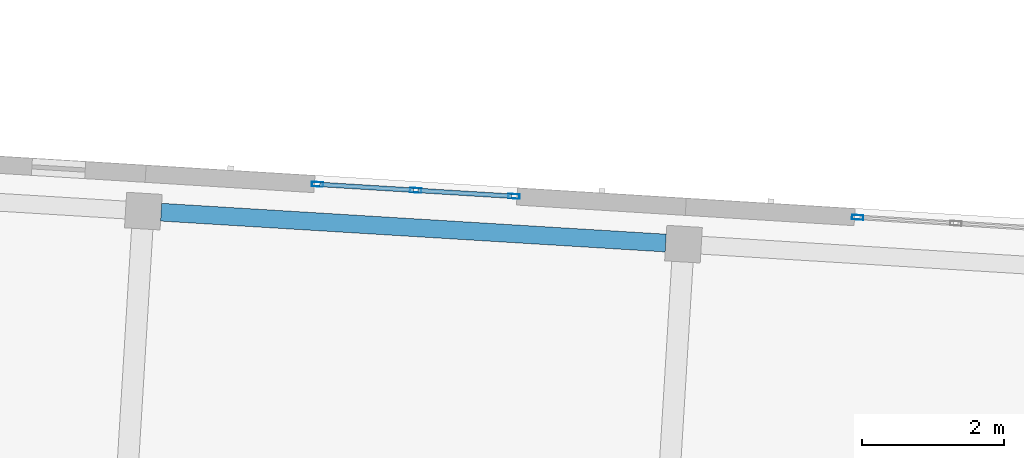
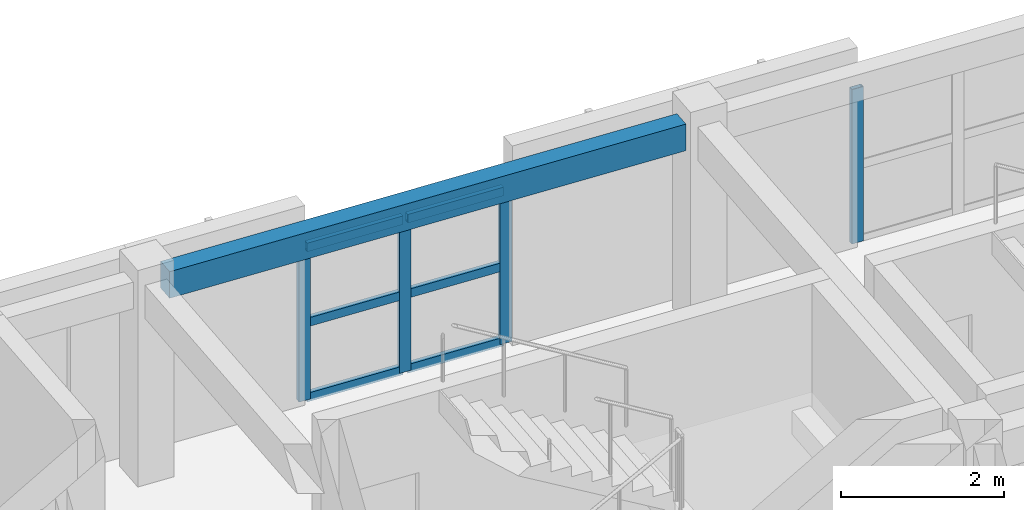
# One storey, part 37 of 127: 10 members, 1 beam, 2 elements without a shape of their own.
"""IFC4 building model written with IfcOpenShell, lengths in metres."""

from ifc_helpers import new_model, si_unit, direction, frame, origin, origin_2d, place, context, subcontext, project, spatial, rectangle, hollow_rectangle, extrude, material, material_profile, profile_set, type_object, element, aggregate, save


model = new_model("IFC4")

# Units and contexts
model_context = context("Model", 3, precision=1e-05, world=origin(), true_north=direction((0.0, 1.0)))
body_context = subcontext(model_context, "Body", "Model", "MODEL_VIEW")
ifc_project = project(units=[si_unit("LENGTHUNIT", "METRE"), si_unit("AREAUNIT", "SQUARE_METRE"), si_unit("VOLUMEUNIT", "CUBIC_METRE"), si_unit("PLANEANGLEUNIT", "RADIAN"), si_unit("MASSUNIT", "GRAM", prefix="KILO")], contexts=[model_context])

# Site, building, storey
site_placement = place(None, origin())
site = spatial("IfcSite", under=ifc_project, at=site_placement, CompositionType="ELEMENT")
building_placement = place(site_placement, origin())
building = spatial("IfcBuilding", under=site, at=building_placement, Name="Kestramere Prow Commons", CompositionType="ELEMENT")
storey_placement = place(building_placement, frame((0.0, 0.0, 8.39990234375)))
storey = spatial("IfcBuildingStorey", under=building, at=storey_placement, Name="L02", CompositionType="ELEMENT", Elevation=8.39990234375)

# Curtain wall, members
ifc_material_1 = material(Name="Anodised Aluminium and Low-E Glass", Category="aluminium")
curtain_wall_type = type_object("IfcCurtainWallType", Name="CW-03 Glazed Curtain Wall 2830x2320", PredefinedType="USERDEFINED", material=ifc_material_1)
curtain_wall_1_placement = place(storey_placement, origin())
curtain_wall_1 = element("IfcCurtainWall", 1, at=curtain_wall_1_placement, inside=storey, type_object=curtain_wall_type, Name="Block C L02 Stairwell Vertical Glazing 2", ObjectType="GLAZED CURTAIN WALL", PredefinedType="USERDEFINED")
ifc_material_2 = material(Name="Anodised Aluminium 6063-T6", Category="aluminium")
ifc_material_profile_1 = material_profile(ifc_material_2, hollow_rectangle(XDim=0.06494140625, YDim=0.159912109375, WallThickness=0.00390625, at=origin_2d()), Name="ALU-MUL 65x160")
ifc_profile_set_1 = profile_set([ifc_material_profile_1], Name="Anodised Aluminium 6063-T6")
member_type_1 = type_object("IfcMemberType", Name="CW-MUL-65x160", PredefinedType="MULLION", material=ifc_profile_set_1)
member_1_placement = place(storey_placement, frame((70.7275390625, 65.975830078125, 0.0), z_axis=(0.0, 0.0, 1.0), x_axis=(0.061048420708, 0.99813480569, 0.0)))
member_1 = element("IfcMember", 2, at=member_1_placement, type_object=member_type_1, Name="CW-03 mullion 1", PredefinedType="MULLION", context=body_context, shape_type="SweptSolid", body=[
    extrude(hollow_rectangle(XDim=0.06494140625, YDim=0.159912109375, WallThickness=0.00390625, at=origin_2d()), origin(), (0.0, 0.0, 1.0), 2.320068359375),
])
member_2_placement = place(storey_placement, frame((72.107421875, 65.8916015625, 0.0), z_axis=(0.0, 0.0, 1.0), x_axis=(0.061048420708, 0.99813480569, 0.0)))
member_2 = element("IfcMember", 3, at=member_2_placement, type_object=member_type_1, Name="CW-03 mullion 2", PredefinedType="MULLION", context=body_context, shape_type="SweptSolid", body=[
    extrude(hollow_rectangle(XDim=0.06494140625, YDim=0.159912109375, WallThickness=0.00390625, at=origin_2d()), origin(), (0.0, 0.0, 1.0), 2.320068359375),
])
member_3_placement = place(storey_placement, frame((73.4873046875, 65.80712890625, 0.0), z_axis=(0.0, 0.0, 1.0), x_axis=(0.061048420708, 0.99813480569, 0.0)))
member_3 = element("IfcMember", 4, at=member_3_placement, type_object=member_type_1, Name="CW-03 mullion 3", PredefinedType="MULLION", context=body_context, shape_type="SweptSolid", body=[
    extrude(hollow_rectangle(XDim=0.06494140625, YDim=0.159912109375, WallThickness=0.00390625, at=origin_2d()), origin(), (0.0, 0.0, 1.0), 2.320068359375),
])

# Curtain wall, member
curtain_wall_2_placement = place(storey_placement, origin())
curtain_wall_2 = element("IfcCurtainWall", 5, at=curtain_wall_2_placement, inside=storey, type_object=curtain_wall_type, Name="Block C L02 Stairwell Vertical Glazing 3", ObjectType="GLAZED CURTAIN WALL", PredefinedType="USERDEFINED")
member_4_placement = place(storey_placement, frame((78.313232421875, 65.511962890625, 0.0), z_axis=(0.0, 0.0, 1.0), x_axis=(0.061048399176, 0.998134807007, 0.0)))
member_4 = element("IfcMember", 6, at=member_4_placement, type_object=member_type_1, Name="CW-03 mullion 1", PredefinedType="MULLION", context=body_context, shape_type="SweptSolid", body=[
    extrude(hollow_rectangle(XDim=0.06494140625, YDim=0.159912109375, WallThickness=0.00390625, at=origin_2d()), origin(), (0.0, 0.0, 1.0), 2.320068359375),
])
aggregate(curtain_wall_2, [member_4])

# Member
ifc_material_profile_2 = material_profile(ifc_material_2, hollow_rectangle(XDim=0.06494140625, YDim=0.1298828125, WallThickness=0.00390625, at=origin_2d()), Name="ALU-TRN 65x130")
ifc_profile_set_2 = profile_set([ifc_material_profile_2], Name="Anodised Aluminium 6063-T6")
member_type_2 = type_object("IfcMemberType", Name="CW-TRN-65x130", PredefinedType="USERDEFINED", material=ifc_profile_set_2)
member_5_placement = place(storey_placement, frame((70.759765625, 65.973876953125, 0.03271484375), z_axis=(0.998140248091, -0.060959372865, 0.0), x_axis=(0.060959372865, 0.998140248091, 0.0)))
member_5 = element("IfcMember", 7, at=member_5_placement, type_object=member_type_2, Name="CW-03 transom 1.1", ObjectType="TRANSOM", PredefinedType="USERDEFINED", context=body_context, shape_type="SweptSolid", body=[
    extrude(hollow_rectangle(XDim=0.06494140625, YDim=0.1298828125, WallThickness=0.00390625, at=origin_2d()), origin(), (0.0, 0.0, 1.0), 1.317626953125),
])

member_6_placement = place(storey_placement, frame((70.759765625, 65.973876953125, 1.16015625), z_axis=(0.998140248091, -0.060959372865, 0.0), x_axis=(0.060959372865, 0.998140248091, 0.0)))
member_6 = element("IfcMember", 8, at=member_6_placement, type_object=member_type_2, Name="CW-03 transom 1.2", ObjectType="TRANSOM", PredefinedType="USERDEFINED", context=body_context, shape_type="SweptSolid", body=[
    extrude(hollow_rectangle(XDim=0.06494140625, YDim=0.1298828125, WallThickness=0.00390625, at=origin_2d()), origin(), (0.0, 0.0, 1.0), 1.317626953125),
])

member_7_placement = place(storey_placement, frame((70.759765625, 65.973876953125, 2.28759765625), z_axis=(0.998140248091, -0.060959372865, 0.0), x_axis=(0.060959372865, 0.998140248091, 0.0)))
member_7 = element("IfcMember", 9, at=member_7_placement, type_object=member_type_2, Name="CW-03 transom 1.3", ObjectType="TRANSOM", PredefinedType="USERDEFINED", context=body_context, shape_type="SweptSolid", body=[
    extrude(hollow_rectangle(XDim=0.06494140625, YDim=0.1298828125, WallThickness=0.00390625, at=origin_2d()), origin(), (0.0, 0.0, 1.0), 1.317626953125),
])

member_8_placement = place(storey_placement, frame((72.139892578125, 65.889404296875, 0.03271484375), z_axis=(0.998139559366, -0.06097064891, 0.0), x_axis=(0.06097064891, 0.998139559366, 0.0)))
member_8 = element("IfcMember", 10, at=member_8_placement, type_object=member_type_2, Name="CW-03 transom 2.1", ObjectType="TRANSOM", PredefinedType="USERDEFINED", context=body_context, shape_type="SweptSolid", body=[
    extrude(hollow_rectangle(XDim=0.06494140625, YDim=0.1298828125, WallThickness=0.00390625, at=origin_2d()), origin(), (0.0, 0.0, 1.0), 1.3173828125),
])

member_9_placement = place(storey_placement, frame((72.139892578125, 65.889404296875, 1.16015625), z_axis=(0.998139559366, -0.06097064891, 0.0), x_axis=(0.06097064891, 0.998139559366, 0.0)))
member_9 = element("IfcMember", 11, at=member_9_placement, type_object=member_type_2, Name="CW-03 transom 2.2", ObjectType="TRANSOM", PredefinedType="USERDEFINED", context=body_context, shape_type="SweptSolid", body=[
    extrude(hollow_rectangle(XDim=0.06494140625, YDim=0.1298828125, WallThickness=0.00390625, at=origin_2d()), origin(), (0.0, 0.0, 1.0), 1.3173828125),
])

member_10_placement = place(storey_placement, frame((72.139892578125, 65.889404296875, 2.28759765625), z_axis=(0.998139559366, -0.06097064891, 0.0), x_axis=(0.06097064891, 0.998139559366, 0.0)))
member_10 = element("IfcMember", 12, at=member_10_placement, type_object=member_type_2, Name="CW-03 transom 2.3", ObjectType="TRANSOM", PredefinedType="USERDEFINED", context=body_context, shape_type="SweptSolid", body=[
    extrude(hollow_rectangle(XDim=0.06494140625, YDim=0.1298828125, WallThickness=0.00390625, at=origin_2d()), origin(), (0.0, 0.0, 1.0), 1.3173828125),
])

aggregate(curtain_wall_1, [member_1, member_2, member_3, member_5, member_6, member_7, member_8, member_9, member_10])

# Beam
ifc_material_3 = material(Name="Precast concrete C40/50", Category="concrete")
ifc_material_profile_3 = material_profile(ifc_material_3, rectangle(XDim=0.25, YDim=0.39990234375, at=origin_2d()), Name="PC-SP 250x400")
ifc_profile_set_3 = profile_set([ifc_material_profile_3], Name="Precast concrete C40/50")
beam_type = type_object("IfcBeamType", Name="SP-EXT-01 PC-SP 250x400", PredefinedType="SPANDREL", material=ifc_profile_set_3)
beam_placement = place(storey_placement, frame((68.531982421875, 65.584228515625, 2.800048828125), z_axis=(0.998135568114, -0.061035953884, 0.0), x_axis=(0.061035953884, 0.998135568114, 0.0)))
element("IfcBeam", 13, at=beam_placement, inside=storey, type_object=beam_type, Name="Block C L02 Longitudinal Beam 4-2", PredefinedType="SPANDREL", context=body_context, shape_type="SweptSolid", body=[
    extrude(rectangle(XDim=0.25, YDim=0.39990234375, at=origin_2d()), origin(), (0.0, 0.0, 1.0), 7.099853515625),
])

save(model, "model.ifc")
